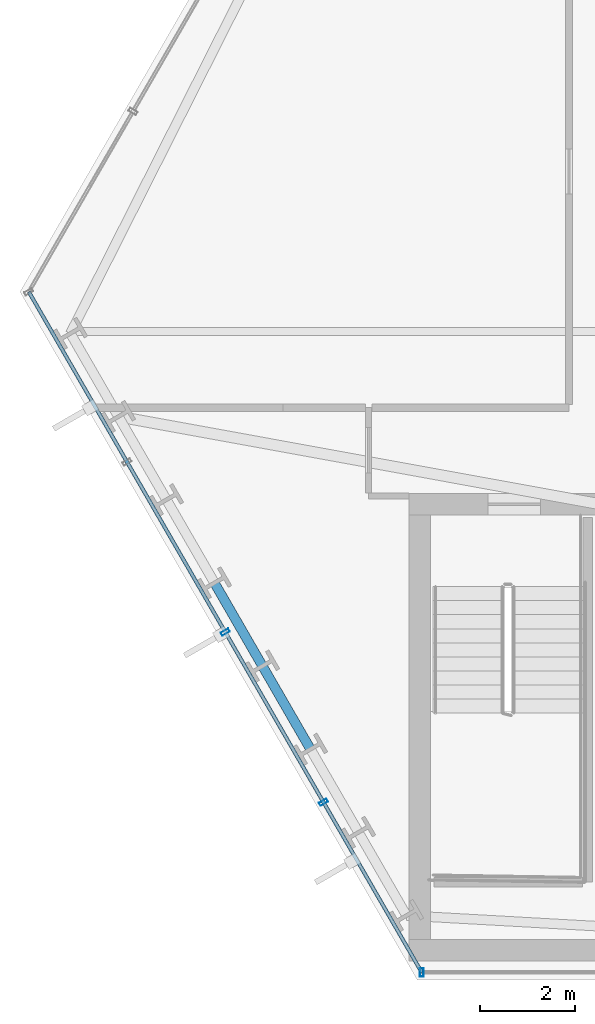
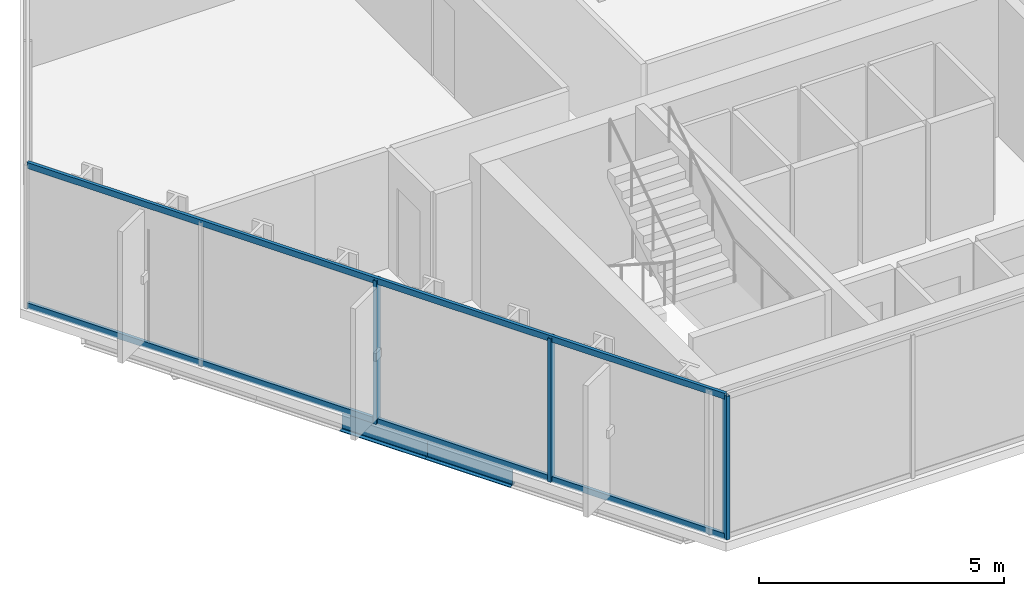
# One storey, part 2 of 33: 5 members, 2 beams, 2 elements without a shape of their own.
"""IFC4 building model written with IfcOpenShell, lengths in metres."""

import ifcopenshell
import ifcopenshell.guid

model = None  # the IFC model being written
_history = None  # IfcOwnerHistory: only IFC2X3 demands one
_inside = {}  # id of a spatial element -> (the spatial element, [elements in it])
_under = {}  # id of a project, library or spatial element -> (it, [spatial elements below it])
_declared = {}  # id of a project -> (the project, [libraries it declares])
_typed = {}  # id of a type object -> (the type object, [elements of that type])
_made_of = {}  # id of a material, layer set ... -> (it, [elements and type objects made of it])


def new_model(schema):
    """Start an empty IFC model of exactly this schema.

    Asked for "IFC4X3", IfcOpenShell would pick the latest addendum, in which some entities
    have other attributes; the version numbers below select the first issue.
    IFC2X3 requires an IfcOwnerHistory on every rooted entity: one is made here for all.
    """
    global model, _history
    if schema == "IFC4X3":
        model = ifcopenshell.file(schema_version=(4, 3, 0, 0))
    else:
        model = ifcopenshell.file(schema=schema)
    _inside.clear()
    _under.clear()
    _declared.clear()
    _typed.clear()
    _made_of.clear()
    _history = None
    if model.schema == "IFC2X3":
        org = make("IfcOrganization", Name="unknown")
        user = make(
            "IfcPersonAndOrganization",
            ThePerson=make("IfcPerson", FamilyName="unknown"),
            TheOrganization=org,
        )
        app = make(
            "IfcApplication",
            ApplicationDeveloper=org,
            Version="unknown",
            ApplicationFullName="unknown",
            ApplicationIdentifier="unknown",
        )
        _history = make(
            "IfcOwnerHistory",
            OwningUser=user,
            OwningApplication=app,
            ChangeAction="ADDED",
            CreationDate=0,
        )
    return model


def make(cls, **values):
    """One entity of the class cls with the attributes given. An attribute that is None is left unset."""
    return model.create_entity(
        cls, **{name: value for name, value in values.items() if value is not None}
    )


def rooted(cls, **values):
    """An entity with a GlobalId (a new one), such as an element, a storey or a relation."""
    return make(cls, GlobalId=ifcopenshell.guid.new(), OwnerHistory=_history, **values)


def si_unit(unit_type, name, prefix=None):
    """IfcSIUnit, for example si_unit("LENGTHUNIT", "METRE", prefix="MILLI")."""
    return make("IfcSIUnit", UnitType=unit_type, Prefix=prefix, Name=name)


def assignment(units):
    """IfcUnitAssignment: the units of a project."""
    return None if units is None else make("IfcUnitAssignment", Units=units)


def point(xyz):
    """IfcCartesianPoint."""
    return None if xyz is None else make("IfcCartesianPoint", Coordinates=xyz)


def direction(xyz):
    """IfcDirection."""
    return None if xyz is None else make("IfcDirection", DirectionRatios=xyz)


def frame(location, z_axis=None, x_axis=None):
    """IfcAxis2Placement3D, a coordinate frame: its origin and axes. An axis left out is left unset."""
    return make(
        "IfcAxis2Placement3D",
        Location=point(location),
        Axis=direction(z_axis),
        RefDirection=direction(x_axis),
    )


def frame_2d(location, x_axis=None):
    """IfcAxis2Placement2D, a coordinate frame in the plane: its origin and x axis."""
    return make(
        "IfcAxis2Placement2D", Location=point(location), RefDirection=direction(x_axis)
    )


def origin():
    """The frame at (0, 0, 0) with its axes left unset."""
    return frame((0.0, 0.0, 0.0))


def origin_2d():
    """The frame at (0, 0) in the plane with its x axis left unset."""
    return frame_2d((0.0, 0.0))


def place(relative_to, where):
    """IfcLocalPlacement: puts the frame where relative to a parent placement (None: the world)."""
    return make(
        "IfcLocalPlacement", PlacementRelTo=relative_to, RelativePlacement=where
    )


def context(
    kind, dimensions, precision=None, world=None, true_north=None, identifier=None
):
    """IfcGeometricRepresentationContext, for example the 3D "Model" context."""
    return make(
        "IfcGeometricRepresentationContext",
        ContextIdentifier=identifier,
        ContextType=kind,
        CoordinateSpaceDimension=dimensions,
        Precision=precision,
        WorldCoordinateSystem=world,
        TrueNorth=true_north,
    )


def subcontext(parent, identifier, kind, view, scale=None):
    """IfcGeometricRepresentationSubContext, for example "Body" below "Model"."""
    return make(
        "IfcGeometricRepresentationSubContext",
        ContextIdentifier=identifier,
        ContextType=kind,
        ParentContext=parent,
        TargetScale=scale,
        TargetView=view,
    )


def project(units=None, contexts=None):
    """IfcProject with its units and contexts."""
    return rooted(
        "IfcProject",
        Name="project",
        RepresentationContexts=contexts,
        UnitsInContext=assignment(units),
    )


def spatial(cls, under=None, at=None, **own):
    """A site, building, storey or space (cls), placed at a placement, below another one or the project."""
    s = rooted(cls, ObjectPlacement=at, **own)
    if under is not None:
        _under.setdefault(under.id(), (under, []))[1].append(s)
    return s


def profile(cls, at=None, kind="AREA", **sizes):
    """A parametric profile (cls). Its sizes go by their IFC names, for example OverallWidth=200.0."""
    return make(cls, ProfileType=kind, Position=at, **sizes)


def hollow_rectangle(**sizes):
    """IfcRectangleHollowProfileDef."""
    return profile("IfcRectangleHollowProfileDef", **sizes)


def i_section(**sizes):
    """IfcIShapeProfileDef."""
    return profile("IfcIShapeProfileDef", **sizes)


def extrude(swept, where, along, depth):
    """IfcExtrudedAreaSolid: the profile swept, set in the frame where, extruded along a direction by depth."""
    return make(
        "IfcExtrudedAreaSolid",
        SweptArea=swept,
        Position=where,
        ExtrudedDirection=direction(along),
        Depth=depth,
    )


def shape(context_of_items, identifier, shape_type, items):
    """IfcShapeRepresentation: the items that make up one representation, for example the "Body"."""
    return make(
        "IfcShapeRepresentation",
        ContextOfItems=context_of_items,
        RepresentationIdentifier=identifier,
        RepresentationType=shape_type,
        Items=items,
    )


def material(Name=None, Category=None):
    """IfcMaterial."""
    return make("IfcMaterial", Name=Name, Category=Category)


def layer(
    of_material, thickness, ventilated=None, Name=None, Category=None, Priority=None
):
    """IfcMaterialLayer: one layer of a wall or slab, of a material (None: an air gap)."""
    return make(
        "IfcMaterialLayer",
        Material=of_material,
        LayerThickness=thickness,
        IsVentilated=ventilated,
        Name=Name,
        Category=Category,
        Priority=Priority,
    )


def layer_set(layers, Name=None):
    """IfcMaterialLayerSet."""
    return make("IfcMaterialLayerSet", MaterialLayers=layers, LayerSetName=Name)


def material_profile(
    of_material, cross_section, Name=None, Category=None, Priority=None
):
    """IfcMaterialProfile: a cross section and its material."""
    return make(
        "IfcMaterialProfile",
        Name=Name,
        Material=of_material,
        Profile=cross_section,
        Priority=Priority,
        Category=Category,
    )


def profile_set(profiles, Name=None, composite=None):
    """IfcMaterialProfileSet."""
    return make(
        "IfcMaterialProfileSet",
        Name=Name,
        MaterialProfiles=profiles,
        CompositeProfile=composite,
    )


def made_of(thing, what):
    """Note that an element or type object is made of a material, layer set ...; save() writes the relation."""
    if what is not None:
        _made_of.setdefault(what.id(), (what, []))[1].append(thing)
    return thing


def type_object(cls, material=None, **own):
    """A type object (cls), such as IfcWallType, which elements share."""
    return made_of(rooted(cls, **own), material)


def element(
    cls,
    number,
    at=None,
    inside=None,
    cuts=None,
    type_object=None,
    material=None,
    context=None,
    identifier="Body",
    shape_type=None,
    held_by="IfcProductDefinitionShape",
    body=None,
    shapes=None,
    **own,
):
    """One element of the class cls, such as IfcWall. Its Tag is "e" and its number.

    at: its placement. inside: the storey or other place that contains it. cuts: it is an
    opening in that element (IfcRelVoidsElement). A single representation is given by context,
    identifier, shape_type and body (its items); several are given by shapes. held_by: the class
    of the entity that holds the representations. save() writes the other relations.
    """
    e = rooted(cls, Tag="e%d" % number, ObjectPlacement=at, **own)
    if body is not None:
        shapes = [shape(context, identifier, shape_type, body)]
    if shapes is not None:
        e.Representation = make(held_by, Representations=shapes)
    if inside is not None:
        _inside.setdefault(inside.id(), (inside, []))[1].append(e)
    if cuts is not None:
        rooted(
            "IfcRelVoidsElement", RelatingBuildingElement=cuts, RelatedOpeningElement=e
        )
    if type_object is not None:
        _typed.setdefault(type_object.id(), (type_object, []))[1].append(e)
    return made_of(e, material)


def aggregate(whole, parts):
    """IfcRelAggregates: a whole, such as a stair, and the parts it consists of."""
    return rooted("IfcRelAggregates", RelatingObject=whole, RelatedObjects=parts)


def save(model, path):
    """Write the relations noted so far, then the file.

    IfcRelAggregates (storeys below a building ...), IfcRelContainedInSpatialStructure (elements
    in a storey), IfcRelDefinesByType, IfcRelAssociatesMaterial and IfcRelDeclares: one each for
    every whole, place, type object, material and project.
    """
    for whole, parts in _under.values():
        aggregate(whole, parts)
    for where, things in _inside.values():
        rooted(
            "IfcRelContainedInSpatialStructure",
            RelatedElements=things,
            RelatingStructure=where,
        )
    for kind, things in _typed.values():
        rooted("IfcRelDefinesByType", RelatedObjects=things, RelatingType=kind)
    for what, things in _made_of.values():
        rooted("IfcRelAssociatesMaterial", RelatedObjects=things, RelatingMaterial=what)
    for by, libraries in _declared.values():
        rooted("IfcRelDeclares", RelatingContext=by, RelatedDefinitions=libraries)
    model.write(path)


model = new_model("IFC4")

# Units and contexts
model_context = context("Model", 3, precision=1e-05, world=origin(), true_north=direction((0.0, 1.0)))
body_context = subcontext(model_context, "Body", "Model", "MODEL_VIEW")
ifc_project = project(units=[si_unit("LENGTHUNIT", "METRE"), si_unit("AREAUNIT", "SQUARE_METRE"), si_unit("VOLUMEUNIT", "CUBIC_METRE"), si_unit("PLANEANGLEUNIT", "RADIAN"), si_unit("MASSUNIT", "GRAM", prefix="KILO")], contexts=[model_context])

# Site, building, storey
site_placement = place(None, origin())
site = spatial("IfcSite", under=ifc_project, at=site_placement, CompositionType="ELEMENT")
building_placement = place(site_placement, origin())
building = spatial("IfcBuilding", under=site, at=building_placement, Name="Ndaravel Arena Tower", CompositionType="ELEMENT")
storey_placement = place(building_placement, frame((0.0, 0.0, 36.0)))
storey = spatial("IfcBuildingStorey", under=building, at=storey_placement, Name="L06", CompositionType="ELEMENT", Elevation=36.0)

# Beams
ifc_material_1 = material(Name="Steel S355", Category="steel")
ifc_material_profile_1 = material_profile(ifc_material_1, i_section(OverallWidth=0.199951171875, OverallDepth=0.5, WebThickness=0.01025390625, FlangeThickness=0.01611328125, FilletRadius=0.02099609375, at=origin_2d()), Name="IPE 500")
ifc_profile_set_1 = profile_set([ifc_material_profile_1], Name="Steel S355")
beam_type = type_object("IfcBeamType", Name="BM-SPAN-IPE500", PredefinedType="SPANDREL", material=ifc_profile_set_1)
beam_1_placement = place(storey_placement, frame((22.3662109375, 13.326904296875, -0.469970703125), z_axis=(0.499907881037, -0.86607858216, 0.0), x_axis=(0.86607858216, 0.499907881037, 0.0)))
element("IfcBeam", 1, at=beam_1_placement, inside=storey, type_object=beam_type, Name="L06 Perimeter Spandrel Beam SP-23", PredefinedType="SPANDREL", context=body_context, shape_type="SweptSolid", body=[
    extrude(i_section(OverallWidth=0.199951171875, OverallDepth=0.5, WebThickness=0.01025390625, FlangeThickness=0.01611328125, FilletRadius=0.02099609375, at=origin_2d()), origin(), (0.0, 0.0, 1.0), 2.013671875),
])
beam_2_placement = place(storey_placement, frame((23.372802734375, 11.5830078125, -0.469970703125), z_axis=(0.500051323872, -0.865995769906, 0.0), x_axis=(0.865995769906, 0.500051323872, 0.0)))
element("IfcBeam", 2, at=beam_2_placement, inside=storey, type_object=beam_type, Name="L06 Perimeter Spandrel Beam SP-24", PredefinedType="SPANDREL", context=body_context, shape_type="SweptSolid", body=[
    extrude(i_section(OverallWidth=0.199951171875, OverallDepth=0.5, WebThickness=0.01025390625, FlangeThickness=0.01611328125, FilletRadius=0.02099609375, at=origin_2d()), origin(), (0.0, 0.0, 1.0), 2.013427734375),
])

# Curtain wall, member
ifc_material_2 = material(Name="Aluminium", Category="aluminium")
ifc_layer_1 = layer(ifc_material_2, 0.179931640625)
ifc_layer_set_1 = layer_set([ifc_layer_1], Name="Aluminium")
curtain_wall_type_1 = type_object("IfcCurtainWallType", Name="CW-SYS-03", PredefinedType="NOTDEFINED", material=ifc_layer_set_1)
curtain_wall_1_placement = place(storey_placement, origin())
curtain_wall_1 = element("IfcCurtainWall", 3, at=curtain_wall_1_placement, inside=storey, type_object=curtain_wall_type_1, Name="L06 Faceted Crystal Curtain Wall CW-L06-E01", PredefinedType="NOTDEFINED")
ifc_material_3 = material(Name="Aluminium", Category="aluminium")
ifc_material_profile_2 = material_profile(ifc_material_3, hollow_rectangle(XDim=0.074951171875, YDim=0.179931640625, WallThickness=0.00390625, at=origin_2d()), Name="CW MULLION 75x180x4")
ifc_profile_set_2 = profile_set([ifc_material_profile_2], Name="Aluminium")
member_type_1 = type_object("IfcMemberType", Name="MEM-CW-MUL180", PredefinedType="MULLION", material=ifc_profile_set_2)
member_1_placement = place(storey_placement, frame((26.7119140625, 5.159912109375, 0.0), z_axis=(0.0, 0.0, 1.0), x_axis=(1.0, 0.0, 0.0)))
member_1 = element("IfcMember", 4, at=member_1_placement, type_object=member_type_1, Name="CW-L06-E01 Mullion 00", PredefinedType="MULLION", context=body_context, shape_type="SweptSolid", body=[
    extrude(hollow_rectangle(XDim=0.074951171875, YDim=0.179931640625, WallThickness=0.00390625, at=origin_2d()), origin(), (0.0, 0.0, 1.0), 3.580078125),
])
aggregate(curtain_wall_1, [member_1])

# Curtain wall, members
ifc_material_4 = material(Name="Aluminium", Category="aluminium")
ifc_layer_2 = layer(ifc_material_4, 0.179931640625)
ifc_layer_set_2 = layer_set([ifc_layer_2], Name="Aluminium")
curtain_wall_type_2 = type_object("IfcCurtainWallType", Name="CW-SYS-02", PredefinedType="NOTDEFINED", material=ifc_layer_set_2)
curtain_wall_2_placement = place(storey_placement, origin())
curtain_wall_2 = element("IfcCurtainWall", 5, at=curtain_wall_2_placement, inside=storey, type_object=curtain_wall_type_2, Name="L06 Faceted Crystal Curtain Wall CW-L06-E06", PredefinedType="NOTDEFINED")
member_2_placement = place(storey_placement, frame((22.59228515625, 12.294921875, 0.0), z_axis=(0.0, 0.0, 1.0), x_axis=(0.5, -0.866025403784, 0.0)))
member_2 = element("IfcMember", 6, at=member_2_placement, type_object=member_type_1, Name="CW-L06-E06 Mullion 02", PredefinedType="MULLION", context=body_context, shape_type="SweptSolid", body=[
    extrude(hollow_rectangle(XDim=0.074951171875, YDim=0.179931640625, WallThickness=0.00390625, at=origin_2d()), origin(), (0.0, 0.0, 1.0), 3.580078125),
])
member_3_placement = place(storey_placement, frame((24.652099609375, 8.7275390625, 0.0), z_axis=(0.0, 0.0, 1.0), x_axis=(0.5, -0.866025403784, 0.0)))
member_3 = element("IfcMember", 7, at=member_3_placement, type_object=member_type_1, Name="CW-L06-E06 Mullion 03", PredefinedType="MULLION", context=body_context, shape_type="SweptSolid", body=[
    extrude(hollow_rectangle(XDim=0.074951171875, YDim=0.179931640625, WallThickness=0.00390625, at=origin_2d()), origin(), (0.0, 0.0, 1.0), 3.580078125),
])
ifc_material_5 = material(Name="Aluminium", Category="aluminium")
ifc_material_profile_3 = material_profile(ifc_material_5, hollow_rectangle(XDim=0.074951171875, YDim=0.14990234375, WallThickness=0.00390625, at=origin_2d()), Name="CW TRANSOM 75x150x4")
ifc_profile_set_3 = profile_set([ifc_material_profile_3], Name="Aluminium")
member_type_2 = type_object("IfcMemberType", Name="MEM-CW-TRN150", PredefinedType="USERDEFINED", material=ifc_profile_set_3)
member_4_placement = place(storey_placement, frame((18.472900390625, 19.429931640625, 0.0400390625), z_axis=(0.500009742867, -0.866019778664, 0.0), x_axis=(0.866019778664, 0.500009742867, 0.0)))
member_4 = element("IfcMember", 8, at=member_4_placement, type_object=member_type_2, Name="CW-L06-E06 Transom 01", ObjectType="TRANSOM", PredefinedType="USERDEFINED", context=body_context, shape_type="SweptSolid", body=[
    extrude(hollow_rectangle(XDim=0.074951171875, YDim=0.14990234375, WallThickness=0.00390625, at=origin_2d()), origin(), (0.0, 0.0, 1.0), 16.477783203125),
])
member_5_placement = place(storey_placement, frame((18.472900390625, 19.429931640625, 3.5400390625), z_axis=(0.500009742867, -0.866019778664, 0.0), x_axis=(0.866019778664, 0.500009742867, 0.0)))
member_5 = element("IfcMember", 9, at=member_5_placement, type_object=member_type_2, Name="CW-L06-E06 Transom 02", ObjectType="TRANSOM", PredefinedType="USERDEFINED", context=body_context, shape_type="SweptSolid", body=[
    extrude(hollow_rectangle(XDim=0.074951171875, YDim=0.14990234375, WallThickness=0.00390625, at=origin_2d()), origin(), (0.0, 0.0, 1.0), 16.477783203125),
])
aggregate(curtain_wall_2, [member_2, member_3, member_4, member_5])

save(model, "model.ifc")
